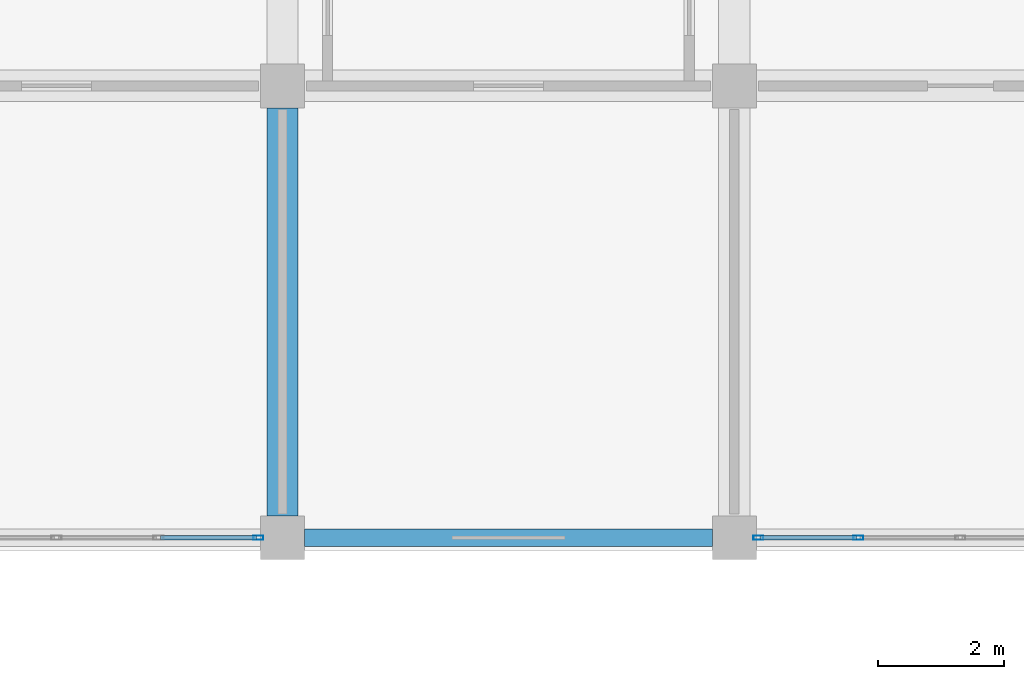
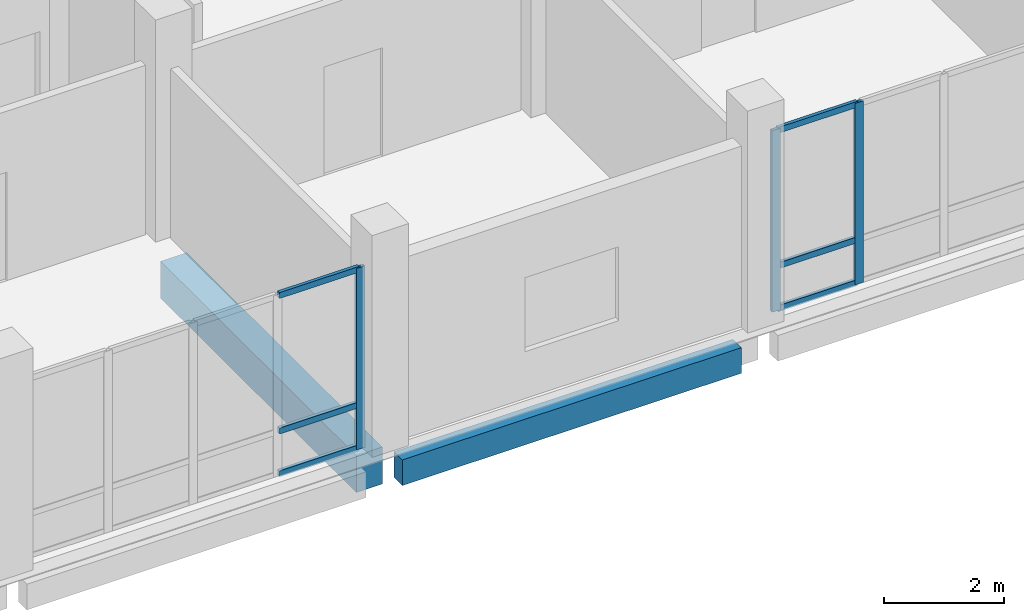
# One storey, part 70 of 139: 9 members, 2 beams, 2 elements without a shape of their own.
"""IFC4 building model written with IfcOpenShell, lengths in metres."""

from ifc_helpers import new_model, si_unit, direction, frame, origin, origin_2d, place, context, subcontext, project, spatial, rectangle, hollow_rectangle, extrude, material, material_profile, profile_set, type_object, element, aggregate, save


model = new_model("IFC4")

# Units and contexts
model_context = context("Model", 3, precision=1e-05, world=origin(), true_north=direction((0.0, 1.0)))
body_context = subcontext(model_context, "Body", "Model", "MODEL_VIEW")
ifc_project = project(units=[si_unit("LENGTHUNIT", "METRE"), si_unit("AREAUNIT", "SQUARE_METRE"), si_unit("VOLUMEUNIT", "CUBIC_METRE"), si_unit("PLANEANGLEUNIT", "RADIAN"), si_unit("MASSUNIT", "GRAM", prefix="KILO")], contexts=[model_context])

# Site, building, storey
site_placement = place(None, origin())
site = spatial("IfcSite", under=ifc_project, at=site_placement, CompositionType="ELEMENT")
building_placement = place(site_placement, origin())
building = spatial("IfcBuilding", under=site, at=building_placement, Name="Suanplinth Sawtooth Commons", CompositionType="ELEMENT")
storey_placement = place(building_placement, origin())
storey = spatial("IfcBuildingStorey", under=building, at=storey_placement, Name="L00", CompositionType="ELEMENT", Elevation=0.0)

# Beams
ifc_material_1 = material(Name="Concrete C40/50", Category="concrete")
ifc_material_profile_1 = material_profile(ifc_material_1, rectangle(XDim=0.5, YDim=0.75, at=origin_2d()), Name="RC-GDR 500x750")
ifc_profile_set_1 = profile_set([ifc_material_profile_1], Name="Concrete C40/50")
beam_type_1 = type_object("IfcBeamType", Name="B-03", PredefinedType="USERDEFINED", material=ifc_profile_set_1)
beam_1_placement = place(storey_placement, frame((144.0, 0.35009765625, -0.794921875), z_axis=(0.0, 1.0, 0.0), x_axis=(-1.0, 0.0, 0.0)))
element("IfcBeam", 1, at=beam_1_placement, inside=storey, type_object=beam_type_1, Name="BMY-L00-C-20-0", ObjectType="GIRDER", PredefinedType="USERDEFINED", context=body_context, shape_type="SweptSolid", body=[
    extrude(rectangle(XDim=0.5, YDim=0.75, at=origin_2d()), origin(), (0.0, 0.0, 1.0), 6.5),
])
ifc_material_2 = material(Name="Precast concrete C40/50", Category="concrete")
ifc_material_profile_2 = material_profile(ifc_material_2, rectangle(XDim=0.280029296875, YDim=0.52001953125, at=origin_2d()), Name="PC-SP 280x520")
ifc_profile_set_2 = profile_set([ifc_material_profile_2], Name="Precast concrete C40/50")
beam_type_2 = type_object("IfcBeamType", Name="B-08", PredefinedType="SPANDREL", material=ifc_profile_set_2)
beam_2_placement = place(storey_placement, frame((144.35009765625, 0.0, -0.679931640625), z_axis=(1.0, 0.0, 0.0), x_axis=(0.0, 1.0, 0.0)))
element("IfcBeam", 2, at=beam_2_placement, inside=storey, type_object=beam_type_2, Name="BMX-L00-C-20-0", PredefinedType="SPANDREL", context=body_context, shape_type="SweptSolid", body=[
    extrude(rectangle(XDim=0.280029296875, YDim=0.52001953125, at=origin_2d()), origin(), (0.0, 0.0, 1.0), 6.5),
])

# Curtain wall, member
ifc_material_3 = material(Name="Anodized aluminium and low-E glazing", Category="aluminium")
curtain_wall_type = type_object("IfcCurtainWallType", Name="CW-04", PredefinedType="USERDEFINED", material=ifc_material_3)
curtain_wall_1_placement = place(storey_placement, origin())
curtain_wall_1 = element("IfcCurtainWall", 3, at=curtain_wall_1_placement, inside=storey, type_object=curtain_wall_type, Name="Curtain Wall CW-L00-C-S-19", ObjectType="CURTAIN WALL", PredefinedType="USERDEFINED")
ifc_material_4 = material(Name="Anodized aluminium 6063-T6", Category="aluminium")
ifc_material_profile_3 = material_profile(ifc_material_4, hollow_rectangle(XDim=0.06494140625, YDim=0.159912109375, WallThickness=0.00390625, at=origin_2d()), Name="ALU-MUL 65x160")
ifc_profile_set_3 = profile_set([ifc_material_profile_3], Name="Anodized aluminium 6063-T6")
member_type_1 = type_object("IfcMemberType", Name="M-13", PredefinedType="MULLION", material=ifc_profile_set_3)
member_1_placement = place(storey_placement, frame((143.617431640625, 0.0, 0.0), z_axis=(0.0, 0.0, 1.0), x_axis=(0.0, 1.0, 0.0)))
member_1 = element("IfcMember", 4, at=member_1_placement, type_object=member_type_1, Name="CW-04 mullion 5", PredefinedType="MULLION", context=body_context, shape_type="SweptSolid", body=[
    extrude(hollow_rectangle(XDim=0.06494140625, YDim=0.159912109375, WallThickness=0.00390625, at=origin_2d()), origin(), (0.0, 0.0, 1.0), 3.679931640625),
])

# Curtain wall, members
curtain_wall_2_placement = place(storey_placement, origin())
curtain_wall_2 = element("IfcCurtainWall", 5, at=curtain_wall_2_placement, inside=storey, type_object=curtain_wall_type, Name="Curtain Wall CW-L00-C-S-21", ObjectType="CURTAIN WALL", PredefinedType="USERDEFINED")
member_2_placement = place(storey_placement, frame((151.58251953125, 0.0, 0.0), z_axis=(0.0, 0.0, 1.0), x_axis=(0.0, 1.0, 0.0)))
member_2 = element("IfcMember", 6, at=member_2_placement, type_object=member_type_1, Name="CW-04 mullion 1", PredefinedType="MULLION", context=body_context, shape_type="SweptSolid", body=[
    extrude(hollow_rectangle(XDim=0.06494140625, YDim=0.159912109375, WallThickness=0.00390625, at=origin_2d()), origin(), (0.0, 0.0, 1.0), 3.679931640625),
])
member_3_placement = place(storey_placement, frame((153.175048828125, 0.0, 0.0), z_axis=(0.0, 0.0, 1.0), x_axis=(0.0, 1.0, 0.0)))
member_3 = element("IfcMember", 7, at=member_3_placement, type_object=member_type_1, Name="CW-04 mullion 2", PredefinedType="MULLION", context=body_context, shape_type="SweptSolid", body=[
    extrude(hollow_rectangle(XDim=0.06494140625, YDim=0.159912109375, WallThickness=0.00390625, at=origin_2d()), origin(), (0.0, 0.0, 1.0), 3.679931640625),
])

# Member
ifc_material_profile_4 = material_profile(ifc_material_4, hollow_rectangle(XDim=0.06494140625, YDim=0.1201171875, WallThickness=0.00390625, at=origin_2d()), Name="ALU-TRN 65x120")
ifc_profile_set_4 = profile_set([ifc_material_profile_4], Name="Anodized aluminium 6063-T6")
member_type_2 = type_object("IfcMemberType", Name="M-15", PredefinedType="USERDEFINED", material=ifc_profile_set_4)
member_4_placement = place(storey_placement, frame((142.0576171875, 0.0, 0.032470703125), z_axis=(1.0, 0.0, 0.0), x_axis=(0.0, 1.0, 0.0)))
member_4 = element("IfcMember", 8, at=member_4_placement, type_object=member_type_2, Name="CW-04 transom 4.1", ObjectType="TRANSOM", PredefinedType="USERDEFINED", context=body_context, shape_type="SweptSolid", body=[
    extrude(hollow_rectangle(XDim=0.06494140625, YDim=0.1201171875, WallThickness=0.00390625, at=origin_2d()), origin(), (0.0, 0.0, 1.0), 1.52734375),
])

member_5_placement = place(storey_placement, frame((142.0576171875, 0.0, 0.89990234375), z_axis=(1.0, 0.0, 0.0), x_axis=(0.0, 1.0, 0.0)))
member_5 = element("IfcMember", 9, at=member_5_placement, type_object=member_type_2, Name="CW-04 transom 4.2", ObjectType="TRANSOM", PredefinedType="USERDEFINED", context=body_context, shape_type="SweptSolid", body=[
    extrude(hollow_rectangle(XDim=0.06494140625, YDim=0.1201171875, WallThickness=0.00390625, at=origin_2d()), origin(), (0.0, 0.0, 1.0), 1.52734375),
])

member_6_placement = place(storey_placement, frame((142.0576171875, 0.0, 3.6474609375), z_axis=(1.0, 0.0, 0.0), x_axis=(0.0, 1.0, 0.0)))
member_6 = element("IfcMember", 10, at=member_6_placement, type_object=member_type_2, Name="CW-04 transom 4.3", ObjectType="TRANSOM", PredefinedType="USERDEFINED", context=body_context, shape_type="SweptSolid", body=[
    extrude(hollow_rectangle(XDim=0.06494140625, YDim=0.1201171875, WallThickness=0.00390625, at=origin_2d()), origin(), (0.0, 0.0, 1.0), 1.52734375),
])

aggregate(curtain_wall_1, [member_1, member_4, member_5, member_6])

member_7_placement = place(storey_placement, frame((151.614990234375, 0.0, 0.032470703125), z_axis=(1.0, 0.0, 0.0), x_axis=(0.0, 1.0, 0.0)))
member_7 = element("IfcMember", 11, at=member_7_placement, type_object=member_type_2, Name="CW-04 transom 1.1", ObjectType="TRANSOM", PredefinedType="USERDEFINED", context=body_context, shape_type="SweptSolid", body=[
    extrude(hollow_rectangle(XDim=0.06494140625, YDim=0.1201171875, WallThickness=0.00390625, at=origin_2d()), origin(), (0.0, 0.0, 1.0), 1.527587890625),
])

member_8_placement = place(storey_placement, frame((151.614990234375, 0.0, 0.89990234375), z_axis=(1.0, 0.0, 0.0), x_axis=(0.0, 1.0, 0.0)))
member_8 = element("IfcMember", 12, at=member_8_placement, type_object=member_type_2, Name="CW-04 transom 1.2", ObjectType="TRANSOM", PredefinedType="USERDEFINED", context=body_context, shape_type="SweptSolid", body=[
    extrude(hollow_rectangle(XDim=0.06494140625, YDim=0.1201171875, WallThickness=0.00390625, at=origin_2d()), origin(), (0.0, 0.0, 1.0), 1.527587890625),
])

member_9_placement = place(storey_placement, frame((151.614990234375, 0.0, 3.6474609375), z_axis=(1.0, 0.0, 0.0), x_axis=(0.0, 1.0, 0.0)))
member_9 = element("IfcMember", 13, at=member_9_placement, type_object=member_type_2, Name="CW-04 transom 1.3", ObjectType="TRANSOM", PredefinedType="USERDEFINED", context=body_context, shape_type="SweptSolid", body=[
    extrude(hollow_rectangle(XDim=0.06494140625, YDim=0.1201171875, WallThickness=0.00390625, at=origin_2d()), origin(), (0.0, 0.0, 1.0), 1.527587890625),
])

aggregate(curtain_wall_2, [member_2, member_3, member_7, member_8, member_9])

save(model, "model.ifc")
